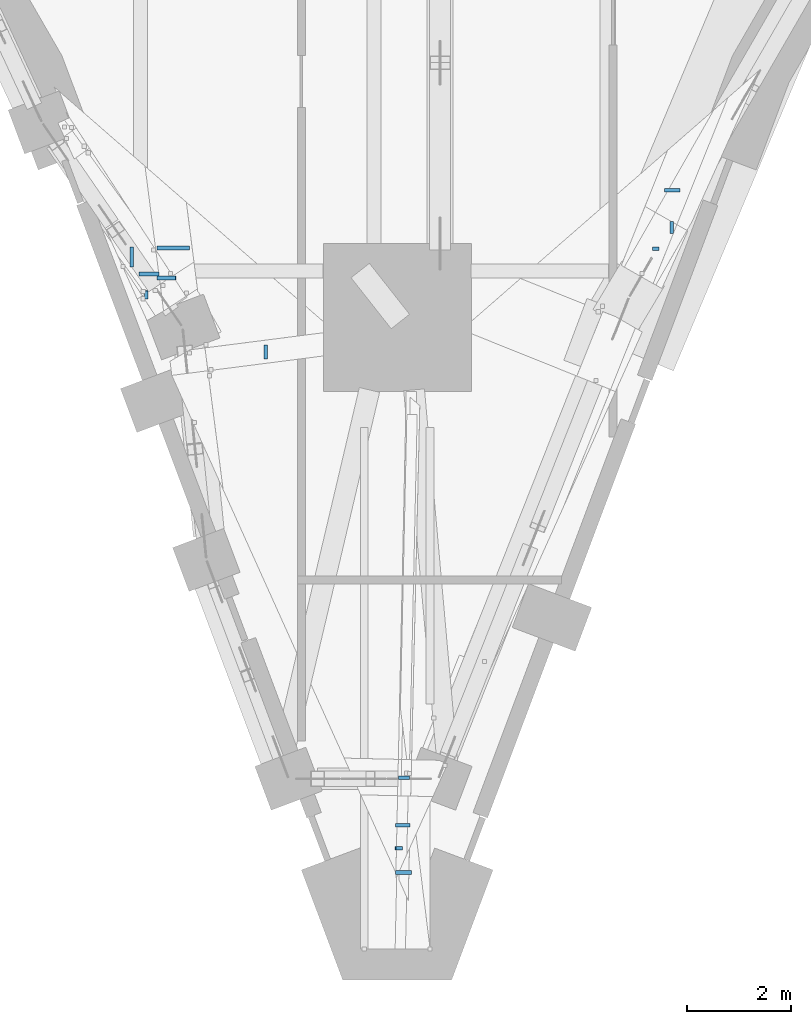
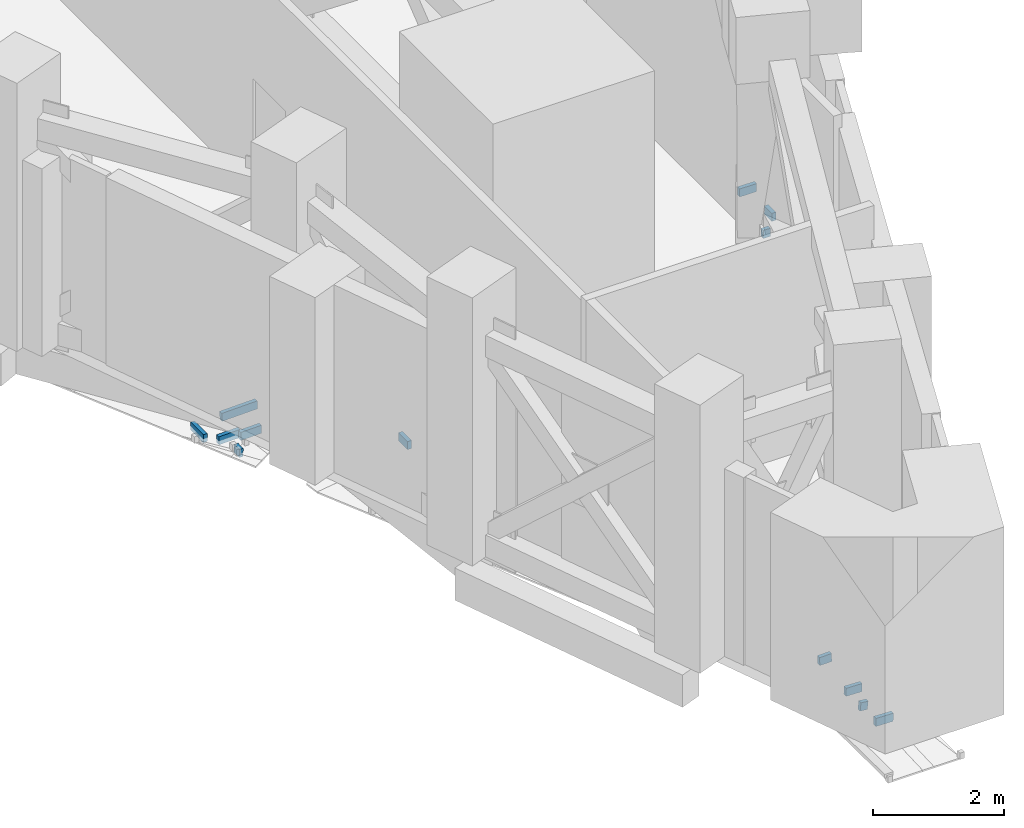
# One storey, part 5 of 20: 13 members, 1 element without a shape of its own.
"""IFC4 building model written with IfcOpenShell, lengths in metres."""

from ifc_helpers import new_model, si_unit, direction, frame, origin, origin_2d, place, context, subcontext, project, spatial, rectangle, extrude, material, material_profile, profile_set, type_object, element, aggregate, save


model = new_model("IFC4")

# Units and contexts
model_context = context("Model", 3, precision=1e-05, world=origin(), true_north=direction((0.0, 1.0)))
body_context = subcontext(model_context, "Body", "Model", "MODEL_VIEW")
ifc_project = project(units=[si_unit("LENGTHUNIT", "METRE"), si_unit("AREAUNIT", "SQUARE_METRE"), si_unit("VOLUMEUNIT", "CUBIC_METRE"), si_unit("PLANEANGLEUNIT", "RADIAN"), si_unit("MASSUNIT", "GRAM", prefix="KILO")], contexts=[model_context])

# Site, building, storey
site_placement = place(None, origin())
site = spatial("IfcSite", under=ifc_project, at=site_placement, CompositionType="ELEMENT")
building_placement = place(site_placement, origin())
building = spatial("IfcBuilding", under=site, at=building_placement, Name="Calabash Gate Tower", CompositionType="ELEMENT")
storey_placement = place(building_placement, frame((0.0, 0.0, 139.60009765625)))
storey = spatial("IfcBuildingStorey", under=building, at=storey_placement, Name="L32", CompositionType="ELEMENT", Elevation=139.60009765625)

# Curtain wall, members
ifc_material_1 = material(Name="Anodised aluminium frame, bronze finish, dark tinted laminated glass", Category="aluminium")
curtain_wall_type = type_object("IfcCurtainWallType", Name="Curtain wall CWD soffit glazing", PredefinedType="NOTDEFINED", material=ifc_material_1)
curtain_wall_placement = place(storey_placement, origin())
curtain_wall = element("IfcCurtainWall", 1, at=curtain_wall_placement, inside=storey, type_object=curtain_wall_type, Name="Curtain wall CWD soffit Z3 S", PredefinedType="NOTDEFINED")
ifc_material_2 = material(Name="Anodised aluminium frame, bronze finish", Category="aluminium")
ifc_material_profile = material_profile(ifc_material_2, rectangle(XDim=0.14990234375, YDim=0.070068359375, at=origin_2d()))
ifc_profile_set = profile_set([ifc_material_profile], Name="Anodised aluminium frame, bronze finish")
member_type = type_object("IfcMemberType", Name="Soffit raking mullion 150x70", PredefinedType="MULLION", material=ifc_profile_set)
member_1_placement = place(storey_placement, frame((-2.089599609375, -27.694091796875, -0.9697265625), z_axis=(0.0, 0.999922851412, 0.012421401881), x_axis=(0.0, -0.012421401881, 0.999922851412)))
member_1 = element("IfcMember", 2, at=member_1_placement, type_object=member_type, Name="Soffit joint mullion Z3 S 1", PredefinedType="MULLION", context=body_context, shape_type="SweptSolid", body=[
    extrude(rectangle(XDim=0.14990234375, YDim=0.070068359375, at=origin_2d()), origin(), (0.0, 0.0, 1.0), 0.275146484375),
])
member_2_placement = place(storey_placement, frame((-3.555908203125, -25.555419921875, -0.982666015625), z_axis=(-0.999666789202, 0.0, -0.025812992209), x_axis=(-0.025812992209, 0.0, 0.999666789202)))
member_2 = element("IfcMember", 3, at=member_2_placement, type_object=member_type, Name="Soffit joint mullion Z3 S 2", PredefinedType="MULLION", context=body_context, shape_type="SweptSolid", body=[
    extrude(rectangle(XDim=0.14990234375, YDim=0.070068359375, at=origin_2d()), origin(), (0.0, 0.0, 1.0), 0.624267578125),
])
member_3_placement = place(storey_placement, frame((5.590087890625, -24.445556640625, -0.908447265625), z_axis=(0.999943969632, 0.0, -0.010585726063), x_axis=(0.010585726063, 0.0, 0.999943969632)))
member_3 = element("IfcMember", 4, at=member_3_placement, type_object=member_type, Name="Soffit joint mullion Z3 S 3", PredefinedType="MULLION", context=body_context, shape_type="SweptSolid", body=[
    extrude(rectangle(XDim=0.14990234375, YDim=0.070068359375, at=origin_2d()), origin(), (0.0, 0.0, 1.0), 0.2998046875),
])
member_4_placement = place(storey_placement, frame((0.409912109375, -37.5791015625, -1.0029296875), z_axis=(0.999544090294, 0.0, -0.030192905748), x_axis=(0.030192905748, 0.0, 0.999544090294)))
member_4 = element("IfcMember", 5, at=member_4_placement, type_object=member_type, Name="Soffit joint mullion Z3 S 4", PredefinedType="MULLION", context=body_context, shape_type="SweptSolid", body=[
    extrude(rectangle(XDim=0.14990234375, YDim=0.070068359375, at=origin_2d()), origin(), (0.0, 0.0, 1.0), 0.307373046875),
])
member_5_placement = place(storey_placement, frame((0.409912109375, -37.110107421875, -0.99755859375), z_axis=(0.994157722511, 0.0, -0.107937124158), x_axis=(0.107937124158, 0.0, 0.994157722511)))
member_5 = element("IfcMember", 6, at=member_5_placement, type_object=member_type, Name="Soffit joint mullion Z3 S 5", PredefinedType="MULLION", context=body_context, shape_type="SweptSolid", body=[
    extrude(rectangle(XDim=0.14990234375, YDim=0.070068359375, at=origin_2d()), origin(), (0.0, 0.0, 1.0), 0.12890625),
])
member_6_placement = place(storey_placement, frame((0.409912109375, -36.669921875, -0.992431640625), z_axis=(0.999507816048, 0.0, -0.031370777138), x_axis=(0.031370777138, 0.0, 0.999507816048)))
member_6 = element("IfcMember", 7, at=member_6_placement, type_object=member_type, Name="Soffit joint mullion Z3 S 6", PredefinedType="MULLION", context=body_context, shape_type="SweptSolid", body=[
    extrude(rectangle(XDim=0.14990234375, YDim=0.070068359375, at=origin_2d()), origin(), (0.0, 0.0, 1.0), 0.2802734375),
])
member_7_placement = place(storey_placement, frame((-4.179931640625, -26.132080078125, -1.005615234375), z_axis=(0.999653919353, 0.0, 0.026306682088), x_axis=(-0.026306682088, 0.0, 0.999653919353)))
member_7 = element("IfcMember", 8, at=member_7_placement, type_object=member_type, Name="Soffit joint mullion Z3 S 7", PredefinedType="MULLION", context=body_context, shape_type="SweptSolid", body=[
    extrude(rectangle(XDim=0.14990234375, YDim=0.070068359375, at=origin_2d()), origin(), (0.0, 0.0, 1.0), 0.362060546875),
])
member_8_placement = place(storey_placement, frame((-4.386474609375, -26.3779296875, -1.013671875), z_axis=(0.0, -0.999923565114, -0.012363815334), x_axis=(0.0, -0.012363815334, 0.999923565114)))
member_8 = element("IfcMember", 9, at=member_8_placement, type_object=member_type, Name="Soffit joint mullion Z3 S 8", PredefinedType="MULLION", context=body_context, shape_type="SweptSolid", body=[
    extrude(rectangle(XDim=0.14990234375, YDim=0.070068359375, at=origin_2d()), origin(), (0.0, 0.0, 1.0), 0.157958984375),
])
member_9_placement = place(storey_placement, frame((-4.6650390625, -25.532958984375, -1.010986328125), z_axis=(0.0, -0.999928159082, -0.011986520519), x_axis=(0.0, -0.011986520519, 0.999928159082)))
member_9 = element("IfcMember", 10, at=member_9_placement, type_object=member_type, Name="Soffit joint mullion Z3 S 9", PredefinedType="MULLION", context=body_context, shape_type="SweptSolid", body=[
    extrude(rectangle(XDim=0.14990234375, YDim=0.070068359375, at=origin_2d()), origin(), (0.0, 0.0, 1.0), 0.386962890625),
])
member_10_placement = place(storey_placement, frame((5.73291015625, -25.044921875, -0.9169921875), z_axis=(0.0, -0.999932402744, -0.011627120962), x_axis=(0.0, -0.011627120962, 0.999932402744)))
member_10 = element("IfcMember", 11, at=member_10_placement, type_object=member_type, Name="Soffit joint mullion Z3 S 10", PredefinedType="MULLION", context=body_context, shape_type="SweptSolid", body=[
    extrude(rectangle(XDim=0.14990234375, YDim=0.070068359375, at=origin_2d()), origin(), (0.0, 0.0, 1.0), 0.23095703125),
])
member_11_placement = place(storey_placement, frame((0.471923828125, -35.755615234375, -0.997314453125), z_axis=(0.999646684045, 0.0, 0.026580200847), x_axis=(-0.026580200847, 0.0, 0.999646684045)))
member_11 = element("IfcMember", 12, at=member_11_placement, type_object=member_type, Name="Soffit joint mullion Z3 S 11", PredefinedType="MULLION", context=body_context, shape_type="SweptSolid", body=[
    extrude(rectangle(XDim=0.14990234375, YDim=0.070068359375, at=origin_2d()), origin(), (0.0, 0.0, 1.0), 0.211181640625),
])
member_12_placement = place(storey_placement, frame((5.35693359375, -25.569580078125, -0.919189453125), z_axis=(0.999954651611, 0.0, -0.009523377634), x_axis=(0.009523377634, 0.0, 0.999954651611)))
member_12 = element("IfcMember", 13, at=member_12_placement, type_object=member_type, Name="Soffit joint mullion Z3 S 12", PredefinedType="MULLION", context=body_context, shape_type="SweptSolid", body=[
    extrude(rectangle(XDim=0.14990234375, YDim=0.070068359375, at=origin_2d()), origin(), (0.0, 0.0, 1.0), 0.128173828125),
])
member_13_placement = place(storey_placement, frame((-4.14404296875, -26.055419921875, -1.003662109375), z_axis=(-0.999669740275, 0.0, -0.025698450907), x_axis=(-0.025698450907, 0.0, 0.999669740275)))
member_13 = element("IfcMember", 14, at=member_13_placement, type_object=member_type, Name="Soffit joint mullion Z3 S 13", PredefinedType="MULLION", context=body_context, shape_type="SweptSolid", body=[
    extrude(rectangle(XDim=0.14990234375, YDim=0.070068359375, at=origin_2d()), origin(), (0.0, 0.0, 1.0), 0.380126953125),
])
aggregate(curtain_wall, [member_1, member_2, member_3, member_4, member_5, member_6, member_7, member_8, member_9, member_10, member_11, member_12, member_13])

save(model, "model.ifc")
